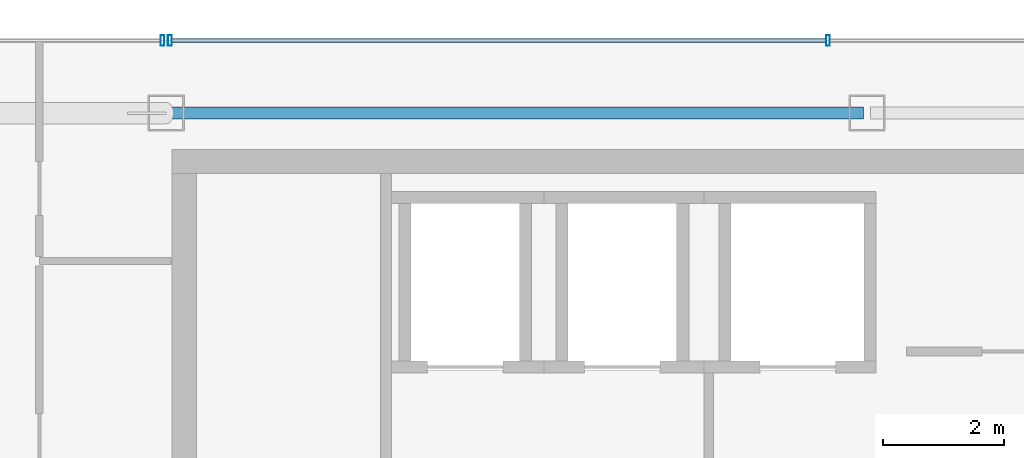
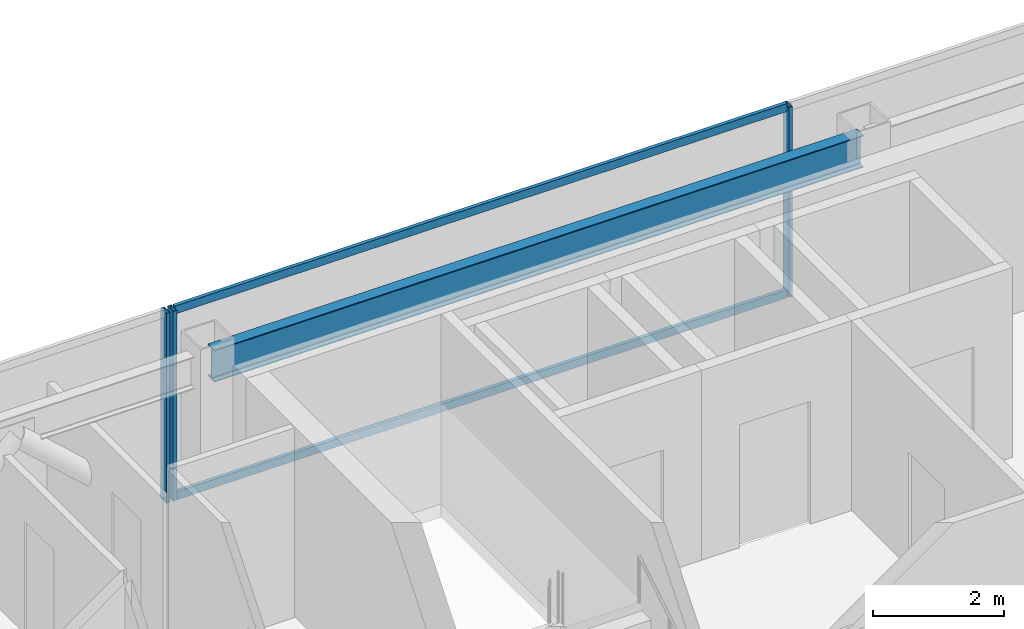
# One storey, part 9 of 23: 5 members, 1 beam, 2 elements without a shape of their own.
"""IFC4 building model written with IfcOpenShell, lengths in metres."""

import ifcopenshell
import ifcopenshell.guid

model = None  # the IFC model being written
_history = None  # IfcOwnerHistory: only IFC2X3 demands one
_inside = {}  # id of a spatial element -> (the spatial element, [elements in it])
_under = {}  # id of a project, library or spatial element -> (it, [spatial elements below it])
_declared = {}  # id of a project -> (the project, [libraries it declares])
_typed = {}  # id of a type object -> (the type object, [elements of that type])
_made_of = {}  # id of a material, layer set ... -> (it, [elements and type objects made of it])


def new_model(schema):
    """Start an empty IFC model of exactly this schema.

    Asked for "IFC4X3", IfcOpenShell would pick the latest addendum, in which some entities
    have other attributes; the version numbers below select the first issue.
    IFC2X3 requires an IfcOwnerHistory on every rooted entity: one is made here for all.
    """
    global model, _history
    if schema == "IFC4X3":
        model = ifcopenshell.file(schema_version=(4, 3, 0, 0))
    else:
        model = ifcopenshell.file(schema=schema)
    _inside.clear()
    _under.clear()
    _declared.clear()
    _typed.clear()
    _made_of.clear()
    _history = None
    if model.schema == "IFC2X3":
        org = make("IfcOrganization", Name="unknown")
        user = make(
            "IfcPersonAndOrganization",
            ThePerson=make("IfcPerson", FamilyName="unknown"),
            TheOrganization=org,
        )
        app = make(
            "IfcApplication",
            ApplicationDeveloper=org,
            Version="unknown",
            ApplicationFullName="unknown",
            ApplicationIdentifier="unknown",
        )
        _history = make(
            "IfcOwnerHistory",
            OwningUser=user,
            OwningApplication=app,
            ChangeAction="ADDED",
            CreationDate=0,
        )
    return model


def make(cls, **values):
    """One entity of the class cls with the attributes given. An attribute that is None is left unset."""
    return model.create_entity(
        cls, **{name: value for name, value in values.items() if value is not None}
    )


def rooted(cls, **values):
    """An entity with a GlobalId (a new one), such as an element, a storey or a relation."""
    return make(cls, GlobalId=ifcopenshell.guid.new(), OwnerHistory=_history, **values)


def si_unit(unit_type, name, prefix=None):
    """IfcSIUnit, for example si_unit("LENGTHUNIT", "METRE", prefix="MILLI")."""
    return make("IfcSIUnit", UnitType=unit_type, Prefix=prefix, Name=name)


def assignment(units):
    """IfcUnitAssignment: the units of a project."""
    return None if units is None else make("IfcUnitAssignment", Units=units)


def point(xyz):
    """IfcCartesianPoint."""
    return None if xyz is None else make("IfcCartesianPoint", Coordinates=xyz)


def direction(xyz):
    """IfcDirection."""
    return None if xyz is None else make("IfcDirection", DirectionRatios=xyz)


def frame(location, z_axis=None, x_axis=None):
    """IfcAxis2Placement3D, a coordinate frame: its origin and axes. An axis left out is left unset."""
    return make(
        "IfcAxis2Placement3D",
        Location=point(location),
        Axis=direction(z_axis),
        RefDirection=direction(x_axis),
    )


def frame_2d(location, x_axis=None):
    """IfcAxis2Placement2D, a coordinate frame in the plane: its origin and x axis."""
    return make(
        "IfcAxis2Placement2D", Location=point(location), RefDirection=direction(x_axis)
    )


def origin():
    """The frame at (0, 0, 0) with its axes left unset."""
    return frame((0.0, 0.0, 0.0))


def origin_2d():
    """The frame at (0, 0) in the plane with its x axis left unset."""
    return frame_2d((0.0, 0.0))


def place(relative_to, where):
    """IfcLocalPlacement: puts the frame where relative to a parent placement (None: the world)."""
    return make(
        "IfcLocalPlacement", PlacementRelTo=relative_to, RelativePlacement=where
    )


def context(
    kind, dimensions, precision=None, world=None, true_north=None, identifier=None
):
    """IfcGeometricRepresentationContext, for example the 3D "Model" context."""
    return make(
        "IfcGeometricRepresentationContext",
        ContextIdentifier=identifier,
        ContextType=kind,
        CoordinateSpaceDimension=dimensions,
        Precision=precision,
        WorldCoordinateSystem=world,
        TrueNorth=true_north,
    )


def subcontext(parent, identifier, kind, view, scale=None):
    """IfcGeometricRepresentationSubContext, for example "Body" below "Model"."""
    return make(
        "IfcGeometricRepresentationSubContext",
        ContextIdentifier=identifier,
        ContextType=kind,
        ParentContext=parent,
        TargetScale=scale,
        TargetView=view,
    )


def project(units=None, contexts=None):
    """IfcProject with its units and contexts."""
    return rooted(
        "IfcProject",
        Name="project",
        RepresentationContexts=contexts,
        UnitsInContext=assignment(units),
    )


def spatial(cls, under=None, at=None, **own):
    """A site, building, storey or space (cls), placed at a placement, below another one or the project."""
    s = rooted(cls, ObjectPlacement=at, **own)
    if under is not None:
        _under.setdefault(under.id(), (under, []))[1].append(s)
    return s


def profile(cls, at=None, kind="AREA", **sizes):
    """A parametric profile (cls). Its sizes go by their IFC names, for example OverallWidth=200.0."""
    return make(cls, ProfileType=kind, Position=at, **sizes)


def hollow_rectangle(**sizes):
    """IfcRectangleHollowProfileDef."""
    return profile("IfcRectangleHollowProfileDef", **sizes)


def i_section(**sizes):
    """IfcIShapeProfileDef."""
    return profile("IfcIShapeProfileDef", **sizes)


def extrude(swept, where, along, depth):
    """IfcExtrudedAreaSolid: the profile swept, set in the frame where, extruded along a direction by depth."""
    return make(
        "IfcExtrudedAreaSolid",
        SweptArea=swept,
        Position=where,
        ExtrudedDirection=direction(along),
        Depth=depth,
    )


def shape(context_of_items, identifier, shape_type, items):
    """IfcShapeRepresentation: the items that make up one representation, for example the "Body"."""
    return make(
        "IfcShapeRepresentation",
        ContextOfItems=context_of_items,
        RepresentationIdentifier=identifier,
        RepresentationType=shape_type,
        Items=items,
    )


def material(Name=None, Category=None):
    """IfcMaterial."""
    return make("IfcMaterial", Name=Name, Category=Category)


def material_profile(
    of_material, cross_section, Name=None, Category=None, Priority=None
):
    """IfcMaterialProfile: a cross section and its material."""
    return make(
        "IfcMaterialProfile",
        Name=Name,
        Material=of_material,
        Profile=cross_section,
        Priority=Priority,
        Category=Category,
    )


def profile_set(profiles, Name=None, composite=None):
    """IfcMaterialProfileSet."""
    return make(
        "IfcMaterialProfileSet",
        Name=Name,
        MaterialProfiles=profiles,
        CompositeProfile=composite,
    )


def made_of(thing, what):
    """Note that an element or type object is made of a material, layer set ...; save() writes the relation."""
    if what is not None:
        _made_of.setdefault(what.id(), (what, []))[1].append(thing)
    return thing


def type_object(cls, material=None, **own):
    """A type object (cls), such as IfcWallType, which elements share."""
    return made_of(rooted(cls, **own), material)


def element(
    cls,
    number,
    at=None,
    inside=None,
    cuts=None,
    type_object=None,
    material=None,
    context=None,
    identifier="Body",
    shape_type=None,
    held_by="IfcProductDefinitionShape",
    body=None,
    shapes=None,
    **own,
):
    """One element of the class cls, such as IfcWall. Its Tag is "e" and its number.

    at: its placement. inside: the storey or other place that contains it. cuts: it is an
    opening in that element (IfcRelVoidsElement). A single representation is given by context,
    identifier, shape_type and body (its items); several are given by shapes. held_by: the class
    of the entity that holds the representations. save() writes the other relations.
    """
    e = rooted(cls, Tag="e%d" % number, ObjectPlacement=at, **own)
    if body is not None:
        shapes = [shape(context, identifier, shape_type, body)]
    if shapes is not None:
        e.Representation = make(held_by, Representations=shapes)
    if inside is not None:
        _inside.setdefault(inside.id(), (inside, []))[1].append(e)
    if cuts is not None:
        rooted(
            "IfcRelVoidsElement", RelatingBuildingElement=cuts, RelatedOpeningElement=e
        )
    if type_object is not None:
        _typed.setdefault(type_object.id(), (type_object, []))[1].append(e)
    return made_of(e, material)


def aggregate(whole, parts):
    """IfcRelAggregates: a whole, such as a stair, and the parts it consists of."""
    return rooted("IfcRelAggregates", RelatingObject=whole, RelatedObjects=parts)


def save(model, path):
    """Write the relations noted so far, then the file.

    IfcRelAggregates (storeys below a building ...), IfcRelContainedInSpatialStructure (elements
    in a storey), IfcRelDefinesByType, IfcRelAssociatesMaterial and IfcRelDeclares: one each for
    every whole, place, type object, material and project.
    """
    for whole, parts in _under.values():
        aggregate(whole, parts)
    for where, things in _inside.values():
        rooted(
            "IfcRelContainedInSpatialStructure",
            RelatedElements=things,
            RelatingStructure=where,
        )
    for kind, things in _typed.values():
        rooted("IfcRelDefinesByType", RelatedObjects=things, RelatingType=kind)
    for what, things in _made_of.values():
        rooted("IfcRelAssociatesMaterial", RelatedObjects=things, RelatingMaterial=what)
    for by, libraries in _declared.values():
        rooted("IfcRelDeclares", RelatingContext=by, RelatedDefinitions=libraries)
    model.write(path)


model = new_model("IFC4")

# Units and contexts
model_context = context("Model", 3, precision=1e-05, world=origin(), true_north=direction((0.0, 1.0)))
body_context = subcontext(model_context, "Body", "Model", "MODEL_VIEW")
ifc_project = project(units=[si_unit("LENGTHUNIT", "METRE"), si_unit("AREAUNIT", "SQUARE_METRE"), si_unit("VOLUMEUNIT", "CUBIC_METRE"), si_unit("PLANEANGLEUNIT", "RADIAN"), si_unit("MASSUNIT", "GRAM", prefix="KILO")], contexts=[model_context])

# Site, building, storey
site_placement = place(None, origin())
site = spatial("IfcSite", under=ifc_project, at=site_placement, CompositionType="ELEMENT")
building_placement = place(site_placement, origin())
building = spatial("IfcBuilding", under=site, at=building_placement, Name="Saevonmaru Cultural Tower", CompositionType="ELEMENT")
storey_placement = place(building_placement, frame((0.0, 0.0, 283.800048828125)))
storey = spatial("IfcBuildingStorey", under=building, at=storey_placement, Name="L67", CompositionType="ELEMENT", Elevation=283.800048828125)

# Beam
ifc_material_1 = material(Name="Steel SM355", Category="steel")
ifc_material_profile_1 = material_profile(ifc_material_1, i_section(OverallWidth=0.199951171875, OverallDepth=0.60009765625, WebThickness=0.010986328125, FlangeThickness=0.01708984375, FilletRadius=0.02197265625, at=origin_2d()), Name="H-600x200x11x17")
ifc_profile_set_1 = profile_set([ifc_material_profile_1], Name="Steel SM355")
beam_type = type_object("IfcBeamType", Name="BM-SP-H600", PredefinedType="SPANDREL", material=ifc_profile_set_1)
beam_placement = place(storey_placement, frame((13.659912109375, 54.800048828125, 3.25), z_axis=(1.0, 0.0, 0.0), x_axis=(0.0, 1.0, 0.0)))
element("IfcBeam", 1, at=beam_placement, inside=storey, type_object=beam_type, Name="L67 North Spine Girder 2", PredefinedType="SPANDREL", context=body_context, shape_type="SweptSolid", body=[
    extrude(i_section(OverallWidth=0.199951171875, OverallDepth=0.60009765625, WebThickness=0.010986328125, FlangeThickness=0.01708984375, FilletRadius=0.02197265625, at=origin_2d()), origin(), (0.0, 0.0, 1.0), 11.47998046875),
])

# Curtain wall, members
ifc_material_2 = material(Name="Satin Bronze Anodised Aluminium", Category="aluminium")
curtain_wall_type = type_object("IfcCurtainWallType", Name="CW-TYP-B", PredefinedType="NOTDEFINED", material=ifc_material_2)
curtain_wall_1_placement = place(storey_placement, origin())
curtain_wall_1 = element("IfcCurtainWall", 2, at=curtain_wall_1_placement, inside=storey, type_object=curtain_wall_type, Name="L67 North Spine Unitised Curtain Wall E10B", PredefinedType="NOTDEFINED")
ifc_material_profile_2 = material_profile(ifc_material_2, hollow_rectangle(XDim=0.06494140625, YDim=0.179931640625, WallThickness=0.00390625, at=origin_2d()), Name="ALU-MULL-180x65x4")
ifc_profile_set_2 = profile_set([ifc_material_profile_2], Name="Satin Bronze Anodised Aluminium")
member_type_1 = type_object("IfcMemberType", Name="ML-CW-180x65", PredefinedType="MULLION", material=ifc_profile_set_2)
member_1_placement = place(storey_placement, frame((24.55322265625, 56.0, 0.0), z_axis=(0.0, 0.0, 1.0), x_axis=(-1.0, 0.0, 0.0)))
member_1 = element("IfcMember", 3, at=member_1_placement, type_object=member_type_1, Name="CW-TW-L67-E10B mullion 3", PredefinedType="MULLION", context=body_context, shape_type="SweptSolid", body=[
    extrude(hollow_rectangle(XDim=0.06494140625, YDim=0.179931640625, WallThickness=0.00390625, at=origin_2d()), origin(), (0.0, 0.0, 1.0), 3.550048828125),
])
member_2_placement = place(storey_placement, frame((13.659912109375, 56.0, 0.0), z_axis=(0.0, 0.0, 1.0), x_axis=(-1.0, 0.0, 0.0)))
member_2 = element("IfcMember", 4, at=member_2_placement, type_object=member_type_1, Name="CW-TW-L67-E10B mullion 4", PredefinedType="MULLION", context=body_context, shape_type="SweptSolid", body=[
    extrude(hollow_rectangle(XDim=0.06494140625, YDim=0.179931640625, WallThickness=0.00390625, at=origin_2d()), origin(), (0.0, 0.0, 1.0), 3.550048828125),
])

# Curtain wall, member
curtain_wall_2_placement = place(storey_placement, origin())
curtain_wall_2 = element("IfcCurtainWall", 5, at=curtain_wall_2_placement, inside=storey, type_object=curtain_wall_type, Name="L67 West Braced Bay Spandrel Curtain Wall E10C", PredefinedType="NOTDEFINED")
member_3_placement = place(storey_placement, frame((13.5400390625, 56.0, 0.0), z_axis=(0.0, 0.0, 1.0), x_axis=(-1.0, 0.0, 0.0)))
member_3 = element("IfcMember", 6, at=member_3_placement, type_object=member_type_1, Name="CW-TW-L67-E10C mullion 1", PredefinedType="MULLION", context=body_context, shape_type="SweptSolid", body=[
    extrude(hollow_rectangle(XDim=0.06494140625, YDim=0.179931640625, WallThickness=0.00390625, at=origin_2d()), origin(), (0.0, 0.0, 1.0), 3.550048828125),
])
aggregate(curtain_wall_2, [member_3])

# Member
ifc_material_profile_3 = material_profile(ifc_material_2, hollow_rectangle(XDim=0.06494140625, YDim=0.14990234375, WallThickness=0.00390625, at=origin_2d()), Name="ALU-TRAN-150x65x4")
ifc_profile_set_3 = profile_set([ifc_material_profile_3], Name="Satin Bronze Anodised Aluminium")
member_type_2 = type_object("IfcMemberType", Name="TR-CW-150x65", PredefinedType="USERDEFINED", material=ifc_profile_set_3)
member_4_placement = place(storey_placement, frame((24.520751953125, 56.0, 0.032470703125), z_axis=(-1.0, 0.0, 0.0), x_axis=(0.0, -1.0, 0.0)))
member_4 = element("IfcMember", 7, at=member_4_placement, type_object=member_type_2, Name="CW-TW-L67-E10B transom 3.1", ObjectType="TRANSOM", PredefinedType="USERDEFINED", context=body_context, shape_type="SweptSolid", body=[
    extrude(hollow_rectangle(XDim=0.06494140625, YDim=0.14990234375, WallThickness=0.00390625, at=origin_2d()), origin(), (0.0, 0.0, 1.0), 10.828369140625),
])

member_5_placement = place(storey_placement, frame((24.520751953125, 56.0, 3.517333984375), z_axis=(-1.0, 0.0, 0.0), x_axis=(0.0, -1.0, 0.0)))
member_5 = element("IfcMember", 8, at=member_5_placement, type_object=member_type_2, Name="CW-TW-L67-E10B transom 3.2", ObjectType="TRANSOM", PredefinedType="USERDEFINED", context=body_context, shape_type="SweptSolid", body=[
    extrude(hollow_rectangle(XDim=0.06494140625, YDim=0.14990234375, WallThickness=0.00390625, at=origin_2d()), origin(), (0.0, 0.0, 1.0), 10.828369140625),
])

aggregate(curtain_wall_1, [member_1, member_2, member_4, member_5])

save(model, "model.ifc")
